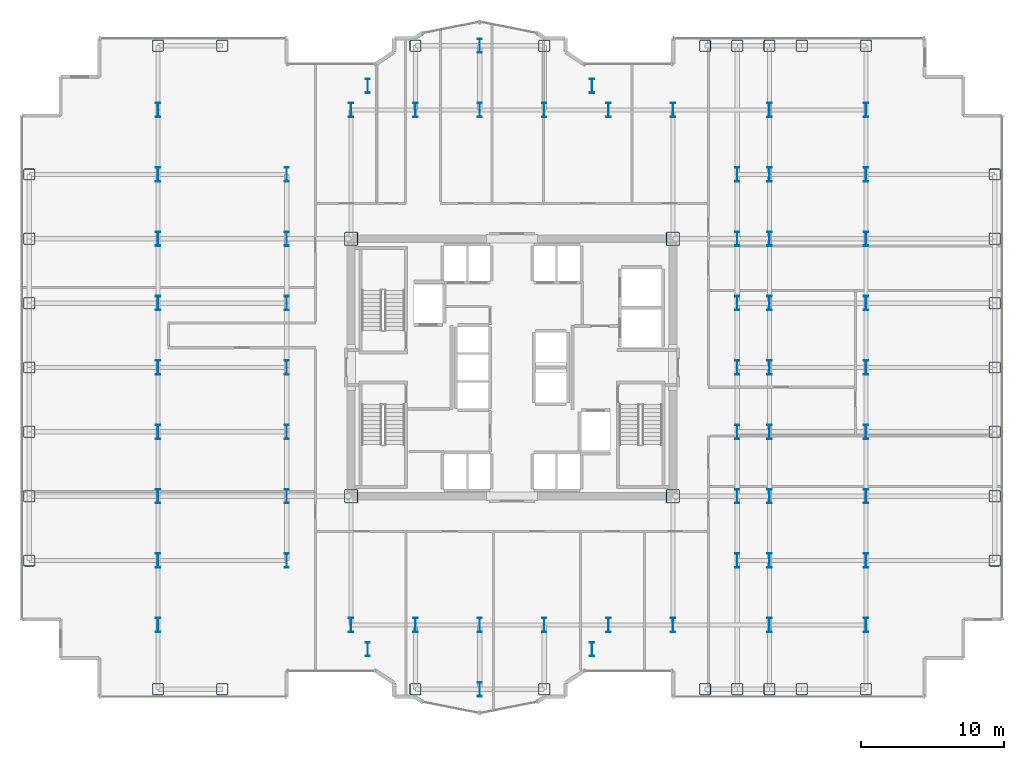
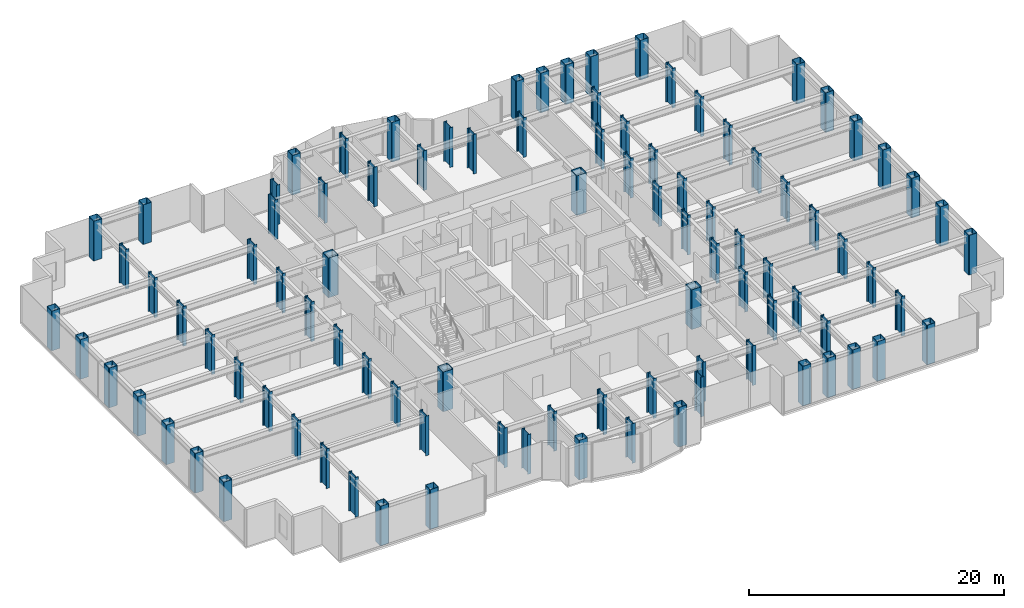
# One storey, part 1 of 26: 95 columns.
"""IFC4 building model written with IfcOpenShell, lengths in metres."""

from ifc_helpers import new_model, si_unit, direction, frame, origin, origin_2d, place, context, subcontext, project, spatial, hollow_rectangle, i_section, extrude, source, transform, mapped, material, material_profile, profile_set, type_object, element, save


model = new_model("IFC4")

# Units and contexts
model_context = context("Model", 3, precision=1e-05, world=origin(), true_north=direction((0.0, 1.0)))
body_context = subcontext(model_context, "Body", "Model", "MODEL_VIEW")
ifc_project = project(units=[si_unit("LENGTHUNIT", "METRE"), si_unit("AREAUNIT", "SQUARE_METRE"), si_unit("VOLUMEUNIT", "CUBIC_METRE"), si_unit("PLANEANGLEUNIT", "RADIAN"), si_unit("MASSUNIT", "GRAM", prefix="KILO")], contexts=[model_context])

# Site, building, storey
site_placement = place(None, origin())
site = spatial("IfcSite", under=ifc_project, at=site_placement, CompositionType="ELEMENT")
building_placement = place(site_placement, origin())
building = spatial("IfcBuilding", under=site, at=building_placement, Name="Nefas-Gora Pilgrimage Tower", CompositionType="ELEMENT")
storey_placement = place(building_placement, frame((0.0, 0.0, 128.800048828125)))
storey = spatial("IfcBuildingStorey", under=building, at=storey_placement, Name="L31", CompositionType="ELEMENT", Elevation=128.800048828125)

# Columns
ifc_material = material(Name="Steel S460", Category="steel")
ifc_material_profile_1 = material_profile(ifc_material, i_section(OverallWidth=0.302001953125, OverallDepth=1.008056640625, WebThickness=0.02099609375, FlangeThickness=0.0400390625, FilletRadius=0.030029296875, at=origin_2d()), Name="HEM 1000")
ifc_profile_set_1 = profile_set([ifc_material_profile_1], Name="Steel S460")
column_type_1 = type_object("IfcColumnType", Name="COL-WEB-HEM1000", PredefinedType="COLUMN", material=ifc_profile_set_1)
shared_shape_1 = source(origin(), body_context, "Body", "SweptSolid", [
    extrude(i_section(OverallWidth=0.302001953125, OverallDepth=1.008056640625, WebThickness=0.02099609375, FlangeThickness=0.0400390625, FilletRadius=0.030029296875, at=origin_2d()), origin(), (0.0, 0.0, 1.0), 3.800048828125),
])
for number, where, z_axis, x_axis, name in (
    (1, (-24.75, -18.0, 0.0), (0.0, 0.0, 1.0), (1.0, 0.0, 0.0), "L31 Tower Column CW-01.9"),
    (2, (-24.75, -13.5, 0.0), (0.0, 0.0, 1.0), (1.0, 0.0, 0.0), "L31 Tower Column CW-01.10"),
    (3, (-24.75, -9.0, 0.0), (0.0, 0.0, 1.0), (1.0, 0.0, 0.0), "L31 Tower Column CW-01.11"),
    (4, (-24.75, -4.5, 0.0), (0.0, 0.0, 1.0), (1.0, 0.0, 0.0), "L31 Tower Column CW-01.12"),
    (5, (-24.75, 0.0, 0.0), (0.0, 0.0, 1.0), (1.0, 0.0, 0.0), "L31 Tower Column CW-01.13"),
    (6, (-24.75, 4.5, 0.0), (0.0, 0.0, 1.0), (1.0, 0.0, 0.0), "L31 Tower Column CW-01.14"),
    (7, (-24.75, 9.0, 0.0), (0.0, 0.0, 1.0), (1.0, 0.0, 0.0), "L31 Tower Column CW-01.15"),
    (8, (-24.75, 13.5, 0.0), (0.0, 0.0, 1.0), (1.0, 0.0, 0.0), "L31 Tower Column CW-01.16"),
    (9, (-24.75, 18.0, 0.0), (0.0, 0.0, 1.0), (1.0, 0.0, 0.0), "L31 Tower Column CW-01.17"),
    (10, (-15.75, -13.5, 0.0), (0.0, 0.0, 1.0), (1.0, 0.0, 0.0), "L31 Tower Column CW-01.21"),
    (11, (-15.75, -9.0, 0.0), (0.0, 0.0, 1.0), (1.0, 0.0, 0.0), "L31 Tower Column CW-01.22"),
    (12, (-15.75, -4.5, 0.0), (0.0, 0.0, 1.0), (1.0, 0.0, 0.0), "L31 Tower Column CW-01.23"),
    (13, (-15.75, 0.0, 0.0), (0.0, 0.0, 1.0), (1.0, 0.0, 0.0), "L31 Tower Column CW-01.24"),
    (14, (-15.75, 4.5, 0.0), (0.0, 0.0, 1.0), (1.0, 0.0, 0.0), "L31 Tower Column CW-01.25"),
    (15, (-15.75, 9.0, 0.0), (0.0, 0.0, 1.0), (1.0, 0.0, 0.0), "L31 Tower Column CW-01.26"),
    (16, (-15.75, 13.5, 0.0), (0.0, 0.0, 1.0), (1.0, 0.0, 0.0), "L31 Tower Column CW-01.27"),
    (17, (-11.25, -18.0, 0.0), (0.0, 0.0, 1.0), (1.0, 0.0, 0.0), "L31 Tower Column CW-01.28"),
    (18, (-11.25, 18.0, 0.0), (0.0, 0.0, 1.0), (1.0, 0.0, 0.0), "L31 Tower Column CW-01.31"),
    (19, (-10.091064453125, -19.696044921875, 0.0), (0.0, 0.0, 1.0), (1.0, 0.0, 0.0), "L31 Tower Column CW-01.32"),
    (20, (-10.091064453125, 19.696044921875, 0.0), (0.0, 0.0, 1.0), (1.0, 0.0, 0.0), "L31 Tower Column CW-01.33"),
    (21, (-6.75, -18.0, 0.0), (0.0, 0.0, 1.0), (1.0, 0.0, 0.0), "L31 Tower Column CW-01.35"),
    (22, (-6.75, 18.0, 0.0), (0.0, 0.0, 1.0), (1.0, 0.0, 0.0), "L31 Tower Column CW-01.36"),
    (23, (-2.25, -22.5, 0.0), (0.0, 0.0, 1.0), (1.0, 0.0, 0.0), "L31 Tower Column CW-01.38"),
    (24, (-2.25, -18.0, 0.0), (0.0, 0.0, 1.0), (1.0, 0.0, 0.0), "L31 Tower Column CW-01.39"),
    (25, (-2.25, 18.0, 0.0), (0.0, 0.0, 1.0), (1.0, 0.0, 0.0), "L31 Tower Column CW-01.40"),
    (26, (-2.25, 22.5, 0.0), (0.0, 0.0, 1.0), (1.0, 0.0, 0.0), "L31 Tower Column CW-01.41"),
    (27, (2.25, -18.0, 0.0), (0.0, 0.0, 1.0), (1.0, 0.0, 0.0), "L31 Tower Column CW-01.43"),
    (28, (2.25, 18.0, 0.0), (0.0, 0.0, 1.0), (1.0, 0.0, 0.0), "L31 Tower Column CW-01.44"),
    (29, (5.591064453125, -19.696044921875, 0.0), (0.0, 0.0, 1.0), (1.0, 0.0, 0.0), "L31 Tower Column CW-01.46"),
    (30, (5.591064453125, 19.696044921875, 0.0), (0.0, 0.0, 1.0), (1.0, 0.0, 0.0), "L31 Tower Column CW-01.47"),
    (31, (6.75, -18.0, 0.0), (0.0, 0.0, 1.0), (1.0, 0.0, 0.0), "L31 Tower Column CW-01.48"),
    (32, (6.75, 18.0, 0.0), (0.0, 0.0, 1.0), (1.0, 0.0, 0.0), "L31 Tower Column CW-01.49"),
    (33, (11.25, -18.0, 0.0), (0.0, 0.0, 1.0), (1.0, 0.0, 0.0), "L31 Tower Column CW-01.50"),
    (34, (11.25, 18.0, 0.0), (0.0, 0.0, 1.0), (1.0, 0.0, 0.0), "L31 Tower Column CW-01.53"),
    (35, (15.75, -13.5, 0.0), (0.0, 0.0, 1.0), (1.0, 0.0, 0.0), "L31 Tower Column CW-01.57"),
    (36, (15.75, -9.0, 0.0), (0.0, 0.0, 1.0), (1.0, 0.0, 0.0), "L31 Tower Column CW-01.58"),
    (37, (15.75, -4.5, 0.0), (0.0, 0.0, 1.0), (1.0, 0.0, 0.0), "L31 Tower Column CW-01.59"),
    (38, (15.75, 0.0, 0.0), (0.0, 0.0, 1.0), (1.0, 0.0, 0.0), "L31 Tower Column CW-01.60"),
    (39, (15.75, 4.5, 0.0), (0.0, 0.0, 1.0), (1.0, 0.0, 0.0), "L31 Tower Column CW-01.61"),
    (40, (15.75, 9.0, 0.0), (0.0, 0.0, 1.0), (1.0, 0.0, 0.0), "L31 Tower Column CW-01.62"),
    (41, (15.75, 13.5, 0.0), (0.0, 0.0, 1.0), (1.0, 0.0, 0.0), "L31 Tower Column CW-01.63"),
    (42, (18.0, -18.0, 0.0), (0.0, 0.0, 1.0), (1.0, 0.0, 0.0), "L31 Tower Column CW-01.66"),
    (43, (18.0, -13.5, 0.0), (0.0, 0.0, 1.0), (1.0, 0.0, 0.0), "L31 Tower Column CW-01.67"),
    (44, (18.0, -9.0, 0.0), (0.0, 0.0, 1.0), (1.0, 0.0, 0.0), "L31 Tower Column CW-01.68"),
    (45, (18.0, -4.5, 0.0), (0.0, 0.0, 1.0), (1.0, 0.0, 0.0), "L31 Tower Column CW-01.69"),
    (46, (18.0, 0.0, 0.0), (0.0, 0.0, 1.0), (1.0, 0.0, 0.0), "L31 Tower Column CW-01.70"),
    (47, (18.0, 4.5, 0.0), (0.0, 0.0, 1.0), (1.0, 0.0, 0.0), "L31 Tower Column CW-01.71"),
    (48, (18.0, 9.0, 0.0), (0.0, 0.0, 1.0), (1.0, 0.0, 0.0), "L31 Tower Column CW-01.72"),
    (49, (18.0, 13.5, 0.0), (0.0, 0.0, 1.0), (1.0, 0.0, 0.0), "L31 Tower Column CW-01.73"),
    (50, (18.0, 18.0, 0.0), (0.0, 0.0, 1.0), (1.0, 0.0, 0.0), "L31 Tower Column CW-01.74"),
    (51, (24.75, -18.0, 0.0), (0.0, 0.0, 1.0), (1.0, 0.0, 0.0), "L31 Tower Column CW-01.79"),
    (52, (24.75, -13.5, 0.0), (0.0, 0.0, 1.0), (1.0, 0.0, 0.0), "L31 Tower Column CW-01.80"),
    (53, (24.75, -9.0, 0.0), (0.0, 0.0, 1.0), (1.0, 0.0, 0.0), "L31 Tower Column CW-01.81"),
    (54, (24.75, -4.5, 0.0), (0.0, 0.0, 1.0), (1.0, 0.0, 0.0), "L31 Tower Column CW-01.82"),
    (55, (24.75, 0.0, 0.0), (0.0, 0.0, 1.0), (1.0, 0.0, 0.0), "L31 Tower Column CW-01.83"),
    (56, (24.75, 4.5, 0.0), (0.0, 0.0, 1.0), (1.0, 0.0, 0.0), "L31 Tower Column CW-01.84"),
    (57, (24.75, 9.0, 0.0), (0.0, 0.0, 1.0), (1.0, 0.0, 0.0), "L31 Tower Column CW-01.85"),
    (58, (24.75, 13.5, 0.0), (0.0, 0.0, 1.0), (1.0, 0.0, 0.0), "L31 Tower Column CW-01.86"),
    (59, (24.75, 18.0, 0.0), (0.0, 0.0, 1.0), (1.0, 0.0, 0.0), "L31 Tower Column CW-01.87"),
):
    element("IfcColumn", number, at=place(storey_placement, frame(where, z_axis=z_axis, x_axis=x_axis)), inside=storey, type_object=column_type_1, Name=name, PredefinedType="COLUMN", context=body_context, shape_type="MappedRepresentation", body=[
        mapped(shared_shape_1, transform((0.0, 0.0, 0.0), x_axis=(1.0, 0.0, 0.0), y_axis=(0.0, 1.0, 0.0), z_axis=(0.0, 0.0, 1.0), scale=1.0)),
    ])
ifc_material_profile_2 = material_profile(ifc_material, hollow_rectangle(XDim=0.949951171875, YDim=0.949951171875, WallThickness=0.044921875, InnerFilletRadius=0.044921875, OuterFilletRadius=0.090087890625, at=origin_2d()), Name="BOX 950x950x45")
ifc_profile_set_2 = profile_set([ifc_material_profile_2], Name="Steel S460")
column_type_2 = type_object("IfcColumnType", Name="COL-CORE-950", PredefinedType="COLUMN", material=ifc_profile_set_2)
shared_shape_2 = source(origin(), body_context, "Body", "SweptSolid", [
    extrude(hollow_rectangle(XDim=0.949951171875, YDim=0.949951171875, WallThickness=0.044921875, InnerFilletRadius=0.044921875, OuterFilletRadius=0.090087890625, at=origin_2d()), origin(), (0.0, 0.0, 1.0), 3.800048828125),
])
for number, where, z_axis, x_axis, name in (
    (60, (-11.25, -9.0, 0.0), (0.0, 0.0, 1.0), (1.0, 0.0, 0.0), "L31 Tower Column CC-Z1.29"),
    (61, (-11.25, 9.0, 0.0), (0.0, 0.0, 1.0), (1.0, 0.0, 0.0), "L31 Tower Column CC-Z1.30"),
    (62, (11.25, -9.0, 0.0), (0.0, 0.0, 1.0), (1.0, 0.0, 0.0), "L31 Tower Column CC-Z1.51"),
    (63, (11.25, 9.0, 0.0), (0.0, 0.0, 1.0), (1.0, 0.0, 0.0), "L31 Tower Column CC-Z1.52"),
):
    element("IfcColumn", number, at=place(storey_placement, frame(where, z_axis=z_axis, x_axis=x_axis)), inside=storey, type_object=column_type_2, Name=name, PredefinedType="COLUMN", context=body_context, shape_type="MappedRepresentation", body=[
        mapped(shared_shape_2, transform((0.0, 0.0, 0.0), x_axis=(1.0, 0.0, 0.0), y_axis=(0.0, 1.0, 0.0), z_axis=(0.0, 0.0, 1.0), scale=1.0)),
    ])
ifc_material_profile_3 = material_profile(ifc_material, hollow_rectangle(XDim=0.800048828125, YDim=0.800048828125, WallThickness=0.0400390625, InnerFilletRadius=0.0400390625, OuterFilletRadius=0.080078125, at=origin_2d()), Name="BOX 800x800x40")
ifc_profile_set_3 = profile_set([ifc_material_profile_3], Name="Steel S460")
column_type_3 = type_object("IfcColumnType", Name="COL-TUBE-800", PredefinedType="COLUMN", material=ifc_profile_set_3)
shared_shape_3 = source(origin(), body_context, "Body", "SweptSolid", [
    extrude(hollow_rectangle(XDim=0.800048828125, YDim=0.800048828125, WallThickness=0.0400390625, InnerFilletRadius=0.0400390625, OuterFilletRadius=0.080078125, at=origin_2d()), origin(), (0.0, 0.0, 1.0), 3.800048828125),
])
for number, where, z_axis, x_axis, name in (
    (64, (-33.75, -13.5, 0.0), (0.0, 0.0, 1.0), (1.0, 0.0, 0.0), "L31 Tower Column C-Z2.1"),
    (65, (-33.75, -9.0, 0.0), (0.0, 0.0, 1.0), (1.0, 0.0, 0.0), "L31 Tower Column C-Z2.2"),
    (66, (-33.75, -4.5, 0.0), (0.0, 0.0, 1.0), (1.0, 0.0, 0.0), "L31 Tower Column C-Z2.3"),
    (67, (-33.75, 0.0, 0.0), (0.0, 0.0, 1.0), (1.0, 0.0, 0.0), "L31 Tower Column C-Z2.4"),
    (68, (-33.75, 4.5, 0.0), (0.0, 0.0, 1.0), (1.0, 0.0, 0.0), "L31 Tower Column C-Z2.5"),
    (69, (-33.75, 9.0, 0.0), (0.0, 0.0, 1.0), (1.0, 0.0, 0.0), "L31 Tower Column C-Z2.6"),
    (70, (-33.75, 13.5, 0.0), (0.0, 0.0, 1.0), (1.0, 0.0, 0.0), "L31 Tower Column C-Z2.7"),
    (71, (-24.75, -22.5, 0.0), (0.0, 0.0, 1.0), (1.0, 0.0, 0.0), "L31 Tower Column C-Z2.8"),
    (72, (-24.75, 22.5, 0.0), (0.0, 0.0, 1.0), (1.0, 0.0, 0.0), "L31 Tower Column C-Z2.18"),
    (73, (-20.25, -22.5, 0.0), (0.0, 0.0, 1.0), (1.0, 0.0, 0.0), "L31 Tower Column C-Z2.19"),
    (74, (-20.25, 22.5, 0.0), (0.0, 0.0, 1.0), (1.0, 0.0, 0.0), "L31 Tower Column C-Z2.20"),
    (75, (-6.75, -22.5, 0.0), (0.0, 0.0, 1.0), (1.0, 0.0, 0.0), "L31 Tower Column C-Z2.34"),
    (76, (-6.75, 22.5, 0.0), (0.0, 0.0, 1.0), (1.0, 0.0, 0.0), "L31 Tower Column C-Z2.37"),
    (77, (2.25, -22.5, 0.0), (0.0, 0.0, 1.0), (1.0, 0.0, 0.0), "L31 Tower Column C-Z2.42"),
    (78, (2.25, 22.5, 0.0), (0.0, 0.0, 1.0), (1.0, 0.0, 0.0), "L31 Tower Column C-Z2.45"),
    (79, (13.5, -22.5, 0.0), (0.0, 0.0, 1.0), (1.0, 0.0, 0.0), "L31 Tower Column C-Z2.54"),
    (80, (13.5, 22.5, 0.0), (0.0, 0.0, 1.0), (1.0, 0.0, 0.0), "L31 Tower Column C-Z2.55"),
    (81, (15.75, -22.5, 0.0), (0.0, 0.0, 1.0), (1.0, 0.0, 0.0), "L31 Tower Column C-Z2.56"),
    (82, (15.75, 22.5, 0.0), (0.0, 0.0, 1.0), (1.0, 0.0, 0.0), "L31 Tower Column C-Z2.64"),
    (83, (18.0, -22.5, 0.0), (0.0, 0.0, 1.0), (1.0, 0.0, 0.0), "L31 Tower Column C-Z2.65"),
    (84, (18.0, 22.5, 0.0), (0.0, 0.0, 1.0), (1.0, 0.0, 0.0), "L31 Tower Column C-Z2.75"),
    (85, (20.25, -22.5, 0.0), (0.0, 0.0, 1.0), (1.0, 0.0, 0.0), "L31 Tower Column C-Z2.76"),
    (86, (20.25, 22.5, 0.0), (0.0, 0.0, 1.0), (1.0, 0.0, 0.0), "L31 Tower Column C-Z2.77"),
    (87, (24.75, -22.5, 0.0), (0.0, 0.0, 1.0), (1.0, 0.0, 0.0), "L31 Tower Column C-Z2.78"),
    (88, (24.75, 22.5, 0.0), (0.0, 0.0, 1.0), (1.0, 0.0, 0.0), "L31 Tower Column C-Z2.88"),
    (89, (33.75, -13.5, 0.0), (0.0, 0.0, 1.0), (1.0, 0.0, 0.0), "L31 Tower Column C-Z2.89"),
    (90, (33.75, -9.0, 0.0), (0.0, 0.0, 1.0), (1.0, 0.0, 0.0), "L31 Tower Column C-Z2.90"),
    (91, (33.75, -4.5, 0.0), (0.0, 0.0, 1.0), (1.0, 0.0, 0.0), "L31 Tower Column C-Z2.91"),
    (92, (33.75, 0.0, 0.0), (0.0, 0.0, 1.0), (1.0, 0.0, 0.0), "L31 Tower Column C-Z2.92"),
    (93, (33.75, 4.5, 0.0), (0.0, 0.0, 1.0), (1.0, 0.0, 0.0), "L31 Tower Column C-Z2.93"),
    (94, (33.75, 9.0, 0.0), (0.0, 0.0, 1.0), (1.0, 0.0, 0.0), "L31 Tower Column C-Z2.94"),
    (95, (33.75, 13.5, 0.0), (0.0, 0.0, 1.0), (1.0, 0.0, 0.0), "L31 Tower Column C-Z2.95"),
):
    element("IfcColumn", number, at=place(storey_placement, frame(where, z_axis=z_axis, x_axis=x_axis)), inside=storey, type_object=column_type_3, Name=name, PredefinedType="COLUMN", context=body_context, shape_type="MappedRepresentation", body=[
        mapped(shared_shape_3, transform((0.0, 0.0, 0.0), x_axis=(1.0, 0.0, 0.0), y_axis=(0.0, 1.0, 0.0), z_axis=(0.0, 0.0, 1.0), scale=1.0)),
    ])

save(model, "model.ifc")
